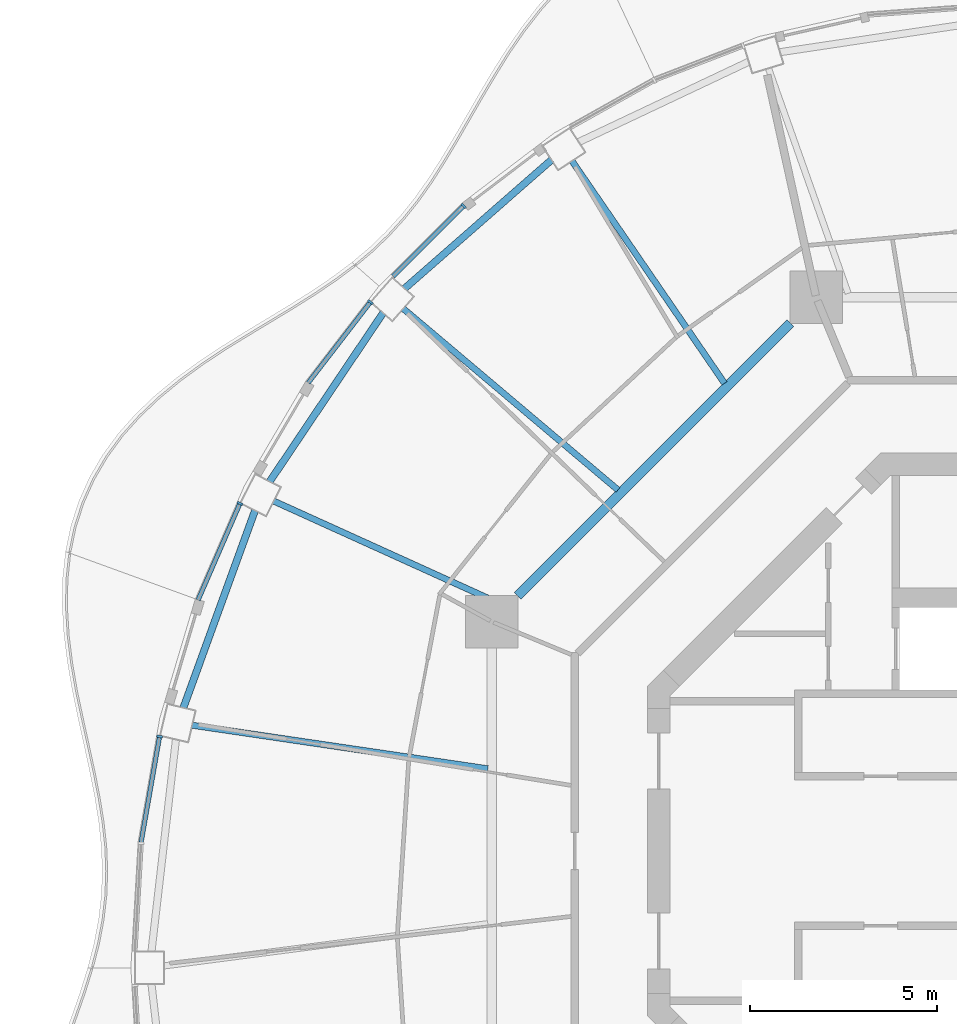
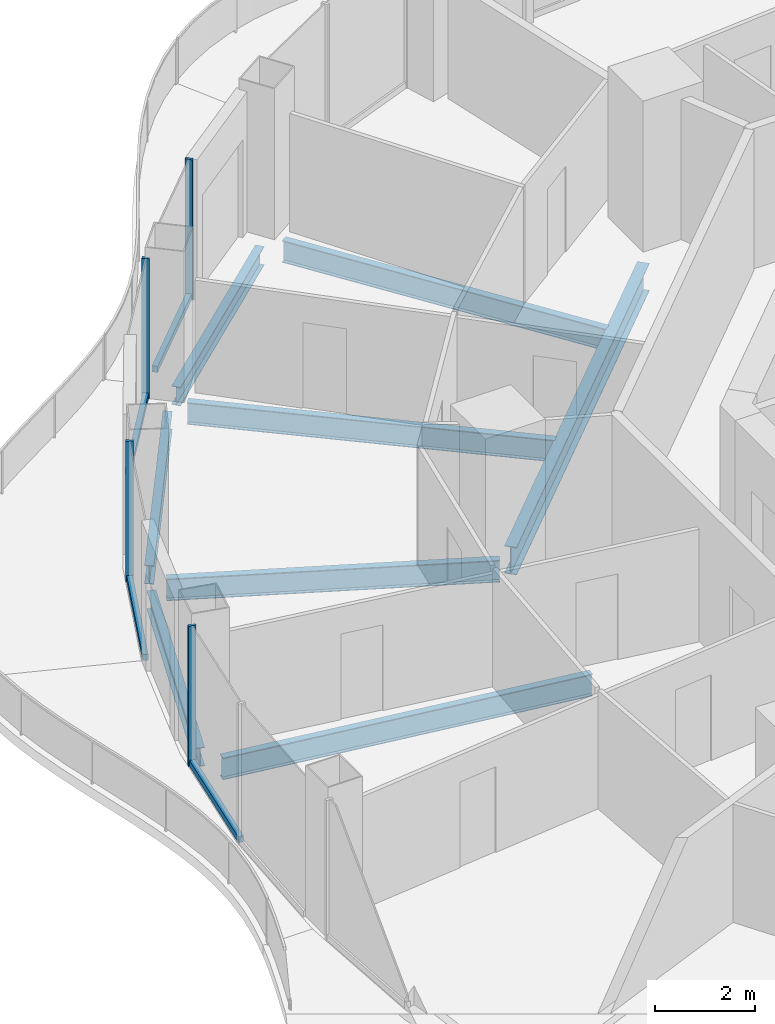
# One storey, part 5 of 18: 8 beams, 8 members, 4 elements without a shape of their own.
"""IFC4 building model written with IfcOpenShell, lengths in metres."""

import ifcopenshell
import ifcopenshell.guid

model = None  # the IFC model being written
_history = None  # IfcOwnerHistory: only IFC2X3 demands one
_inside = {}  # id of a spatial element -> (the spatial element, [elements in it])
_under = {}  # id of a project, library or spatial element -> (it, [spatial elements below it])
_declared = {}  # id of a project -> (the project, [libraries it declares])
_typed = {}  # id of a type object -> (the type object, [elements of that type])
_made_of = {}  # id of a material, layer set ... -> (it, [elements and type objects made of it])


def new_model(schema):
    """Start an empty IFC model of exactly this schema.

    Asked for "IFC4X3", IfcOpenShell would pick the latest addendum, in which some entities
    have other attributes; the version numbers below select the first issue.
    IFC2X3 requires an IfcOwnerHistory on every rooted entity: one is made here for all.
    """
    global model, _history
    if schema == "IFC4X3":
        model = ifcopenshell.file(schema_version=(4, 3, 0, 0))
    else:
        model = ifcopenshell.file(schema=schema)
    _inside.clear()
    _under.clear()
    _declared.clear()
    _typed.clear()
    _made_of.clear()
    _history = None
    if model.schema == "IFC2X3":
        org = make("IfcOrganization", Name="unknown")
        user = make(
            "IfcPersonAndOrganization",
            ThePerson=make("IfcPerson", FamilyName="unknown"),
            TheOrganization=org,
        )
        app = make(
            "IfcApplication",
            ApplicationDeveloper=org,
            Version="unknown",
            ApplicationFullName="unknown",
            ApplicationIdentifier="unknown",
        )
        _history = make(
            "IfcOwnerHistory",
            OwningUser=user,
            OwningApplication=app,
            ChangeAction="ADDED",
            CreationDate=0,
        )
    return model


def make(cls, **values):
    """One entity of the class cls with the attributes given. An attribute that is None is left unset."""
    return model.create_entity(
        cls, **{name: value for name, value in values.items() if value is not None}
    )


def rooted(cls, **values):
    """An entity with a GlobalId (a new one), such as an element, a storey or a relation."""
    return make(cls, GlobalId=ifcopenshell.guid.new(), OwnerHistory=_history, **values)


def si_unit(unit_type, name, prefix=None):
    """IfcSIUnit, for example si_unit("LENGTHUNIT", "METRE", prefix="MILLI")."""
    return make("IfcSIUnit", UnitType=unit_type, Prefix=prefix, Name=name)


def assignment(units):
    """IfcUnitAssignment: the units of a project."""
    return None if units is None else make("IfcUnitAssignment", Units=units)


def point(xyz):
    """IfcCartesianPoint."""
    return None if xyz is None else make("IfcCartesianPoint", Coordinates=xyz)


def direction(xyz):
    """IfcDirection."""
    return None if xyz is None else make("IfcDirection", DirectionRatios=xyz)


def frame(location, z_axis=None, x_axis=None):
    """IfcAxis2Placement3D, a coordinate frame: its origin and axes. An axis left out is left unset."""
    return make(
        "IfcAxis2Placement3D",
        Location=point(location),
        Axis=direction(z_axis),
        RefDirection=direction(x_axis),
    )


def frame_2d(location, x_axis=None):
    """IfcAxis2Placement2D, a coordinate frame in the plane: its origin and x axis."""
    return make(
        "IfcAxis2Placement2D", Location=point(location), RefDirection=direction(x_axis)
    )


def origin():
    """The frame at (0, 0, 0) with its axes left unset."""
    return frame((0.0, 0.0, 0.0))


def origin_2d():
    """The frame at (0, 0) in the plane with its x axis left unset."""
    return frame_2d((0.0, 0.0))


def place(relative_to, where):
    """IfcLocalPlacement: puts the frame where relative to a parent placement (None: the world)."""
    return make(
        "IfcLocalPlacement", PlacementRelTo=relative_to, RelativePlacement=where
    )


def context(
    kind, dimensions, precision=None, world=None, true_north=None, identifier=None
):
    """IfcGeometricRepresentationContext, for example the 3D "Model" context."""
    return make(
        "IfcGeometricRepresentationContext",
        ContextIdentifier=identifier,
        ContextType=kind,
        CoordinateSpaceDimension=dimensions,
        Precision=precision,
        WorldCoordinateSystem=world,
        TrueNorth=true_north,
    )


def subcontext(parent, identifier, kind, view, scale=None):
    """IfcGeometricRepresentationSubContext, for example "Body" below "Model"."""
    return make(
        "IfcGeometricRepresentationSubContext",
        ContextIdentifier=identifier,
        ContextType=kind,
        ParentContext=parent,
        TargetScale=scale,
        TargetView=view,
    )


def project(units=None, contexts=None):
    """IfcProject with its units and contexts."""
    return rooted(
        "IfcProject",
        Name="project",
        RepresentationContexts=contexts,
        UnitsInContext=assignment(units),
    )


def spatial(cls, under=None, at=None, **own):
    """A site, building, storey or space (cls), placed at a placement, below another one or the project."""
    s = rooted(cls, ObjectPlacement=at, **own)
    if under is not None:
        _under.setdefault(under.id(), (under, []))[1].append(s)
    return s


def profile(cls, at=None, kind="AREA", **sizes):
    """A parametric profile (cls). Its sizes go by their IFC names, for example OverallWidth=200.0."""
    return make(cls, ProfileType=kind, Position=at, **sizes)


def rectangle(**sizes):
    """IfcRectangleProfileDef."""
    return profile("IfcRectangleProfileDef", **sizes)


def i_section(**sizes):
    """IfcIShapeProfileDef."""
    return profile("IfcIShapeProfileDef", **sizes)


def extrude(swept, where, along, depth):
    """IfcExtrudedAreaSolid: the profile swept, set in the frame where, extruded along a direction by depth."""
    return make(
        "IfcExtrudedAreaSolid",
        SweptArea=swept,
        Position=where,
        ExtrudedDirection=direction(along),
        Depth=depth,
    )


def shape(context_of_items, identifier, shape_type, items):
    """IfcShapeRepresentation: the items that make up one representation, for example the "Body"."""
    return make(
        "IfcShapeRepresentation",
        ContextOfItems=context_of_items,
        RepresentationIdentifier=identifier,
        RepresentationType=shape_type,
        Items=items,
    )


def material(Name=None, Category=None):
    """IfcMaterial."""
    return make("IfcMaterial", Name=Name, Category=Category)


def layer(
    of_material, thickness, ventilated=None, Name=None, Category=None, Priority=None
):
    """IfcMaterialLayer: one layer of a wall or slab, of a material (None: an air gap)."""
    return make(
        "IfcMaterialLayer",
        Material=of_material,
        LayerThickness=thickness,
        IsVentilated=ventilated,
        Name=Name,
        Category=Category,
        Priority=Priority,
    )


def layer_set(layers, Name=None):
    """IfcMaterialLayerSet."""
    return make("IfcMaterialLayerSet", MaterialLayers=layers, LayerSetName=Name)


def material_profile(
    of_material, cross_section, Name=None, Category=None, Priority=None
):
    """IfcMaterialProfile: a cross section and its material."""
    return make(
        "IfcMaterialProfile",
        Name=Name,
        Material=of_material,
        Profile=cross_section,
        Priority=Priority,
        Category=Category,
    )


def profile_set(profiles, Name=None, composite=None):
    """IfcMaterialProfileSet."""
    return make(
        "IfcMaterialProfileSet",
        Name=Name,
        MaterialProfiles=profiles,
        CompositeProfile=composite,
    )


def made_of(thing, what):
    """Note that an element or type object is made of a material, layer set ...; save() writes the relation."""
    if what is not None:
        _made_of.setdefault(what.id(), (what, []))[1].append(thing)
    return thing


def type_object(cls, material=None, **own):
    """A type object (cls), such as IfcWallType, which elements share."""
    return made_of(rooted(cls, **own), material)


def element(
    cls,
    number,
    at=None,
    inside=None,
    cuts=None,
    type_object=None,
    material=None,
    context=None,
    identifier="Body",
    shape_type=None,
    held_by="IfcProductDefinitionShape",
    body=None,
    shapes=None,
    **own,
):
    """One element of the class cls, such as IfcWall. Its Tag is "e" and its number.

    at: its placement. inside: the storey or other place that contains it. cuts: it is an
    opening in that element (IfcRelVoidsElement). A single representation is given by context,
    identifier, shape_type and body (its items); several are given by shapes. held_by: the class
    of the entity that holds the representations. save() writes the other relations.
    """
    e = rooted(cls, Tag="e%d" % number, ObjectPlacement=at, **own)
    if body is not None:
        shapes = [shape(context, identifier, shape_type, body)]
    if shapes is not None:
        e.Representation = make(held_by, Representations=shapes)
    if inside is not None:
        _inside.setdefault(inside.id(), (inside, []))[1].append(e)
    if cuts is not None:
        rooted(
            "IfcRelVoidsElement", RelatingBuildingElement=cuts, RelatedOpeningElement=e
        )
    if type_object is not None:
        _typed.setdefault(type_object.id(), (type_object, []))[1].append(e)
    return made_of(e, material)


def aggregate(whole, parts):
    """IfcRelAggregates: a whole, such as a stair, and the parts it consists of."""
    return rooted("IfcRelAggregates", RelatingObject=whole, RelatedObjects=parts)


def save(model, path):
    """Write the relations noted so far, then the file.

    IfcRelAggregates (storeys below a building ...), IfcRelContainedInSpatialStructure (elements
    in a storey), IfcRelDefinesByType, IfcRelAssociatesMaterial and IfcRelDeclares: one each for
    every whole, place, type object, material and project.
    """
    for whole, parts in _under.values():
        aggregate(whole, parts)
    for where, things in _inside.values():
        rooted(
            "IfcRelContainedInSpatialStructure",
            RelatedElements=things,
            RelatingStructure=where,
        )
    for kind, things in _typed.values():
        rooted("IfcRelDefinesByType", RelatedObjects=things, RelatingType=kind)
    for what, things in _made_of.values():
        rooted("IfcRelAssociatesMaterial", RelatedObjects=things, RelatingMaterial=what)
    for by, libraries in _declared.values():
        rooted("IfcRelDeclares", RelatingContext=by, RelatedDefinitions=libraries)
    model.write(path)


model = new_model("IFC4")

# Units and contexts
model_context = context("Model", 3, precision=1e-05, world=origin(), true_north=direction((0.0, 1.0)))
body_context = subcontext(model_context, "Body", "Model", "MODEL_VIEW")
ifc_project = project(units=[si_unit("LENGTHUNIT", "METRE"), si_unit("AREAUNIT", "SQUARE_METRE"), si_unit("VOLUMEUNIT", "CUBIC_METRE"), si_unit("PLANEANGLEUNIT", "RADIAN"), si_unit("MASSUNIT", "GRAM", prefix="KILO")], contexts=[model_context])

# Site, building, storey
site_placement = place(None, origin())
site = spatial("IfcSite", under=ifc_project, at=site_placement, CompositionType="ELEMENT")
building_placement = place(site_placement, origin())
building = spatial("IfcBuilding", under=site, at=building_placement, Name="Nagisa Residences", CompositionType="ELEMENT")
storey_placement = place(building_placement, frame((0.0, 0.0, 284.39990234375)))
storey = spatial("IfcBuildingStorey", under=building, at=storey_placement, Name="L72", CompositionType="ELEMENT", Elevation=284.39990234375)

# Curtain wall, member
ifc_material_1 = material(Name="Concrete-coloured aluminium curtain wall system", Category="concrete")
ifc_layer = layer(ifc_material_1, 0.159912109375)
ifc_layer_set = layer_set([ifc_layer], Name="CW1 CURTAIN WALL")
curtain_wall_type = type_object("IfcCurtainWallType", Name="CW1 CURTAIN WALL", PredefinedType="NOTDEFINED", material=ifc_layer_set)
curtain_wall_1_placement = place(storey_placement, origin())
curtain_wall_1 = element("IfcCurtainWall", 1, at=curtain_wall_1_placement, inside=storey, type_object=curtain_wall_type, Name="cw:CW1:L72:17", PredefinedType="NOTDEFINED")
ifc_material_2 = material(Name="Concrete-coloured aluminium", Category="concrete")
ifc_material_profile_1 = material_profile(ifc_material_2, rectangle(XDim=0.159912109375, YDim=0.06005859375, at=origin_2d()), Name="CW1 MULLION 160x60")
ifc_profile_set_1 = profile_set([ifc_material_profile_1], Name="Concrete-coloured aluminium")
member_type_1 = type_object("IfcMemberType", Name="CW1 MULLION 160x60", PredefinedType="MULLION", material=ifc_profile_set_1)
member_1_placement = place(storey_placement, frame((-15.534912109375, 17.225341796875, 0.0), z_axis=(0.0, 0.0, 1.0), x_axis=(0.706376885714, -0.707835924016, 0.0)))
member_1 = element("IfcMember", 2, at=member_1_placement, type_object=member_type_1, Name="CW1 mullion", PredefinedType="MULLION", context=body_context, shape_type="SweptSolid", body=[
    extrude(rectangle(XDim=0.159912109375, YDim=0.06005859375, at=origin_2d()), origin(), (0.0, 0.0, 1.0), 3.440185546875),
])

curtain_wall_2_placement = place(storey_placement, origin())
curtain_wall_2 = element("IfcCurtainWall", 3, at=curtain_wall_2_placement, inside=storey, type_object=curtain_wall_type, Name="cw:CW1:L72:18", PredefinedType="NOTDEFINED")
member_2_placement = place(storey_placement, frame((-18.0244140625, 14.654296875, 0.0), z_axis=(0.0, 0.0, 1.0), x_axis=(0.792070340816, -0.610429828235, 0.0)))
member_2 = element("IfcMember", 4, at=member_2_placement, type_object=member_type_1, Name="CW1 mullion", PredefinedType="MULLION", context=body_context, shape_type="SweptSolid", body=[
    extrude(rectangle(XDim=0.159912109375, YDim=0.06005859375, at=origin_2d()), origin(), (0.0, 0.0, 1.0), 3.440185546875),
])

curtain_wall_3_placement = place(storey_placement, origin())
curtain_wall_3 = element("IfcCurtainWall", 5, at=curtain_wall_3_placement, inside=storey, type_object=curtain_wall_type, Name="cw:CW1:L72:20", PredefinedType="NOTDEFINED")
member_3_placement = place(storey_placement, frame((-21.5068359375, 9.280029296875, 0.0), z_axis=(0.0, 0.0, 1.0), x_axis=(0.917543276295, -0.397635934147, 0.0)))
member_3 = element("IfcMember", 6, at=member_3_placement, type_object=member_type_1, Name="CW1 mullion", PredefinedType="MULLION", context=body_context, shape_type="SweptSolid", body=[
    extrude(rectangle(XDim=0.159912109375, YDim=0.06005859375, at=origin_2d()), origin(), (0.0, 0.0, 1.0), 3.440185546875),
])

curtain_wall_4_placement = place(storey_placement, origin())
curtain_wall_4 = element("IfcCurtainWall", 7, at=curtain_wall_4_placement, inside=storey, type_object=curtain_wall_type, Name="cw:CW1:L72:22", PredefinedType="NOTDEFINED")
member_4_placement = place(storey_placement, frame((-23.653076171875, 3.0576171875, 0.0), z_axis=(0.0, 0.0, 1.0), x_axis=(0.985063604377, -0.172190868898, 0.0)))
member_4 = element("IfcMember", 8, at=member_4_placement, type_object=member_type_1, Name="CW1 mullion", PredefinedType="MULLION", context=body_context, shape_type="SweptSolid", body=[
    extrude(rectangle(XDim=0.159912109375, YDim=0.06005859375, at=origin_2d()), origin(), (0.0, 0.0, 1.0), 3.440185546875),
])

# Member
ifc_material_3 = material(Name="Concrete-coloured aluminium", Category="concrete")
ifc_material_profile_2 = material_profile(ifc_material_3, rectangle(XDim=0.1201171875, YDim=0.14990234375, at=origin_2d()), Name="CW1 TRANSOM 120x150")
ifc_profile_set_2 = profile_set([ifc_material_profile_2], Name="Concrete-coloured aluminium")
member_type_2 = type_object("IfcMemberType", Name="CW1 TRANSOM 120x150", PredefinedType="USERDEFINED", material=ifc_profile_set_2)
member_5_placement = place(storey_placement, frame((-15.513671875, 17.24658203125, 0.0751953125), z_axis=(-0.707831739508, -0.706381078841, 0.0), x_axis=(0.706381078841, -0.707831739508, 0.0)))
member_5 = element("IfcMember", 9, at=member_5_placement, type_object=member_type_2, Name="CW1 transom", ObjectType="TRANSOM", PredefinedType="USERDEFINED", context=body_context, shape_type="SweptSolid", body=[
    extrude(rectangle(XDim=0.1201171875, YDim=0.14990234375, at=origin_2d()), origin(), (0.0, 0.0, 1.0), 2.692626953125),
])

aggregate(curtain_wall_1, [member_1, member_5])

member_6_placement = place(storey_placement, frame((-18.006103515625, 14.677978515625, 0.0751953125), z_axis=(-0.610432336622, -0.792068407656, 0.0), x_axis=(0.792068407656, -0.610432336622, 0.0)))
member_6 = element("IfcMember", 10, at=member_6_placement, type_object=member_type_2, Name="CW1 transom", ObjectType="TRANSOM", PredefinedType="USERDEFINED", context=body_context, shape_type="SweptSolid", body=[
    extrude(rectangle(XDim=0.1201171875, YDim=0.14990234375, at=origin_2d()), origin(), (0.0, 0.0, 1.0), 2.74609375),
])

aggregate(curtain_wall_2, [member_2, member_6])

member_7_placement = place(storey_placement, frame((-21.4951171875, 9.3076171875, 0.0751953125), z_axis=(-0.397597791596, -0.9175598052, 0.0), x_axis=(0.9175598052, -0.397597791596, 0.0)))
member_7 = element("IfcMember", 11, at=member_7_placement, type_object=member_type_2, Name="CW1 transom", ObjectType="TRANSOM", PredefinedType="USERDEFINED", context=body_context, shape_type="SweptSolid", body=[
    extrude(rectangle(XDim=0.1201171875, YDim=0.14990234375, at=origin_2d()), origin(), (0.0, 0.0, 1.0), 2.841064453125),
])

aggregate(curtain_wall_3, [member_3, member_7])

member_8_placement = place(storey_placement, frame((-23.64794921875, 3.087158203125, 0.0751953125), z_axis=(-0.172196679668, -0.985062588626, 0.0), x_axis=(0.985062588626, -0.172196679668, 0.0)))
member_8 = element("IfcMember", 12, at=member_8_placement, type_object=member_type_2, Name="CW1 transom", ObjectType="TRANSOM", PredefinedType="USERDEFINED", context=body_context, shape_type="SweptSolid", body=[
    extrude(rectangle(XDim=0.1201171875, YDim=0.14990234375, at=origin_2d()), origin(), (0.0, 0.0, 1.0), 2.90234375),
])

aggregate(curtain_wall_4, [member_4, member_8])

# Beams
ifc_material_4 = material(Name="Steel ASTM A572 Gr 50", Category="steel")
ifc_material_profile_3 = material_profile(ifc_material_4, i_section(OverallWidth=0.2529296875, OverallDepth=0.677978515625, WebThickness=0.01171875, FlangeThickness=0.016357421875, at=origin_2d()), Name="W690x125")
ifc_profile_set_3 = profile_set([ifc_material_profile_3], Name="Steel ASTM A572 Gr 50")
beam_type_1 = type_object("IfcBeamType", Name="Inner ring beam W690x125", PredefinedType="BEAM", material=ifc_profile_set_3)
beam_1_placement = place(storey_placement, frame((-6.808837890625, 14.09619140625, -0.598876953125), z_axis=(-0.707106781187, -0.707106781187, 0.0), x_axis=(0.707106781187, -0.707106781187, 0.0)))
element("IfcBeam", 13, at=beam_1_placement, inside=storey, type_object=beam_type_1, Name="beam:L72:ib3", PredefinedType="BEAM", context=body_context, shape_type="SweptSolid", body=[
    extrude(i_section(OverallWidth=0.2529296875, OverallDepth=0.677978515625, WebThickness=0.01171875, FlangeThickness=0.016357421875, at=origin_2d()), origin(), (0.0, 0.0, 1.0), 10.305908203125),
])
ifc_material_5 = material(Name="Steel ASTM A572 Gr 50", Category="steel")
ifc_material_profile_4 = material_profile(ifc_material_5, i_section(OverallWidth=0.18994140625, OverallDepth=0.45703125, WebThickness=0.009033203125, FlangeThickness=0.014404296875, at=origin_2d()), Name="W460x74")
ifc_profile_set_4 = profile_set([ifc_material_profile_4], Name="Steel ASTM A572 Gr 50")
beam_type_2 = type_object("IfcBeamType", Name="Perimeter ring beam W460x74", PredefinedType="BEAM", material=ifc_profile_set_4)
beam_2_placement = place(storey_placement, frame((-13.186767578125, 18.45458984375, -0.48828125), z_axis=(-0.752365189148, -0.658746250204, 0.0), x_axis=(0.658746250204, -0.752365189148, 0.0)))
element("IfcBeam", 14, at=beam_2_placement, inside=storey, type_object=beam_type_2, Name="beam:L72:pb09", PredefinedType="BEAM", context=body_context, shape_type="SweptSolid", body=[
    extrude(i_section(OverallWidth=0.18994140625, OverallDepth=0.45703125, WebThickness=0.009033203125, FlangeThickness=0.014404296875, at=origin_2d()), origin(), (0.0, 0.0, 1.0), 5.220947265625),
])
beam_3_placement = place(storey_placement, frame((-17.683349609375, 14.36962890625, -0.48828125), z_axis=(-0.558035477156, -0.829817092036, 0.0), x_axis=(0.829817092036, -0.558035477156, 0.0)))
element("IfcBeam", 15, at=beam_3_placement, inside=storey, type_object=beam_type_2, Name="beam:L72:pb10", PredefinedType="BEAM", context=body_context, shape_type="SweptSolid", body=[
    extrude(i_section(OverallWidth=0.18994140625, OverallDepth=0.45703125, WebThickness=0.009033203125, FlangeThickness=0.014404296875, at=origin_2d()), origin(), (0.0, 0.0, 1.0), 5.431884765625),
])
beam_4_placement = place(storey_placement, frame((-21.104248046875, 9.094970703125, -0.48828125), z_axis=(-0.341250304478, -0.9399724622, 0.0), x_axis=(0.9399724622, -0.341250304478, 0.0)))
element("IfcBeam", 16, at=beam_4_placement, inside=storey, type_object=beam_type_2, Name="beam:L72:pb11", PredefinedType="BEAM", context=body_context, shape_type="SweptSolid", body=[
    extrude(i_section(OverallWidth=0.18994140625, OverallDepth=0.45703125, WebThickness=0.009033203125, FlangeThickness=0.014404296875, at=origin_2d()), origin(), (0.0, 0.0, 1.0), 5.609619140625),
])
ifc_material_6 = material(Name="Steel ASTM A572 Gr 50", Category="steel")
ifc_material_profile_5 = material_profile(ifc_material_6, i_section(OverallWidth=0.166015625, OverallDepth=0.534912109375, WebThickness=0.01025390625, FlangeThickness=0.0166015625, at=origin_2d()), Name="W530x85")
ifc_profile_set_5 = profile_set([ifc_material_profile_5], Name="Steel ASTM A572 Gr 50")
beam_type_3 = type_object("IfcBeamType", Name="Radial beam W530x85", PredefinedType="BEAM", material=ifc_profile_set_5)
beam_5_placement = place(storey_placement, frame((-12.64501953125, 18.427490234375, -0.52734375), z_axis=(0.565802292405, -0.824540942531, 0.0), x_axis=(0.824540942531, 0.565802292405, 0.0)))
element("IfcBeam", 17, at=beam_5_placement, inside=storey, type_object=beam_type_3, Name="beam:L72:rb09", PredefinedType="BEAM", context=body_context, shape_type="SweptSolid", body=[
    extrude(i_section(OverallWidth=0.166015625, OverallDepth=0.534912109375, WebThickness=0.01025390625, FlangeThickness=0.0166015625, at=origin_2d()), origin(), (0.0, 0.0, 1.0), 7.204345703125),
])
beam_6_placement = place(storey_placement, frame((-17.15087890625, 14.484375, -0.52734375), z_axis=(0.764006403763, -0.645208660054, 0.0), x_axis=(0.645208660054, 0.764006403763, 0.0)))
element("IfcBeam", 18, at=beam_6_placement, inside=storey, type_object=beam_type_3, Name="beam:L72:rb10", PredefinedType="BEAM", context=body_context, shape_type="SweptSolid", body=[
    extrude(i_section(OverallWidth=0.166015625, OverallDepth=0.534912109375, WebThickness=0.01025390625, FlangeThickness=0.0166015625, at=origin_2d()), origin(), (0.0, 0.0, 1.0), 7.50732421875),
])
beam_7_placement = place(storey_placement, frame((-20.610107421875, 9.34521484375, -0.52734375), z_axis=(0.910751667619, -0.412954476824, 0.0), x_axis=(0.412954476824, 0.910751667619, 0.0)))
element("IfcBeam", 19, at=beam_7_placement, inside=storey, type_object=beam_type_3, Name="beam:L72:rb11", PredefinedType="BEAM", context=body_context, shape_type="SweptSolid", body=[
    extrude(i_section(OverallWidth=0.166015625, OverallDepth=0.534912109375, WebThickness=0.01025390625, FlangeThickness=0.0166015625, at=origin_2d()), origin(), (0.0, 0.0, 1.0), 6.721923828125),
])
beam_8_placement = place(storey_placement, frame((-22.788818359375, 3.359375, -0.52734375), z_axis=(0.989309244243, -0.145832846968, 0.0), x_axis=(0.145832846968, 0.989309244243, 0.0)))
element("IfcBeam", 20, at=beam_8_placement, inside=storey, type_object=beam_type_3, Name="beam:L72:rb12", PredefinedType="BEAM", context=body_context, shape_type="SweptSolid", body=[
    extrude(i_section(OverallWidth=0.166015625, OverallDepth=0.534912109375, WebThickness=0.01025390625, FlangeThickness=0.0166015625, at=origin_2d()), origin(), (0.0, 0.0, 1.0), 7.985595703125),
])

save(model, "model.ifc")
